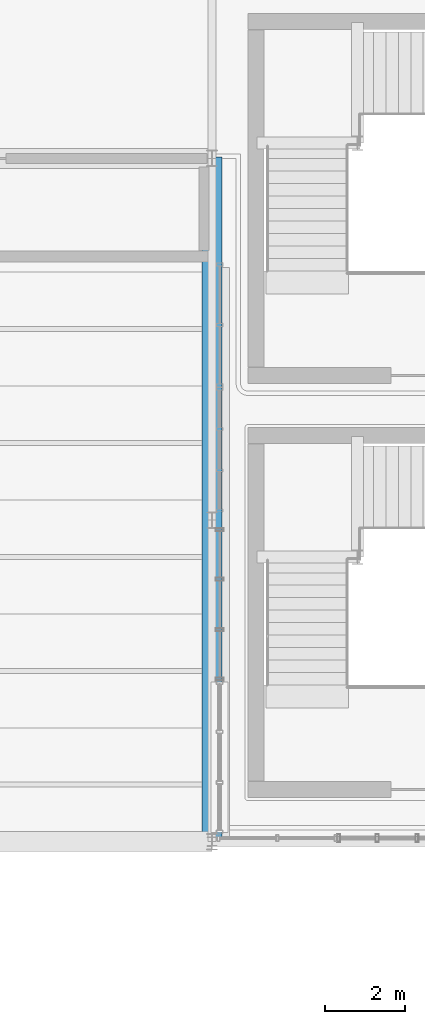
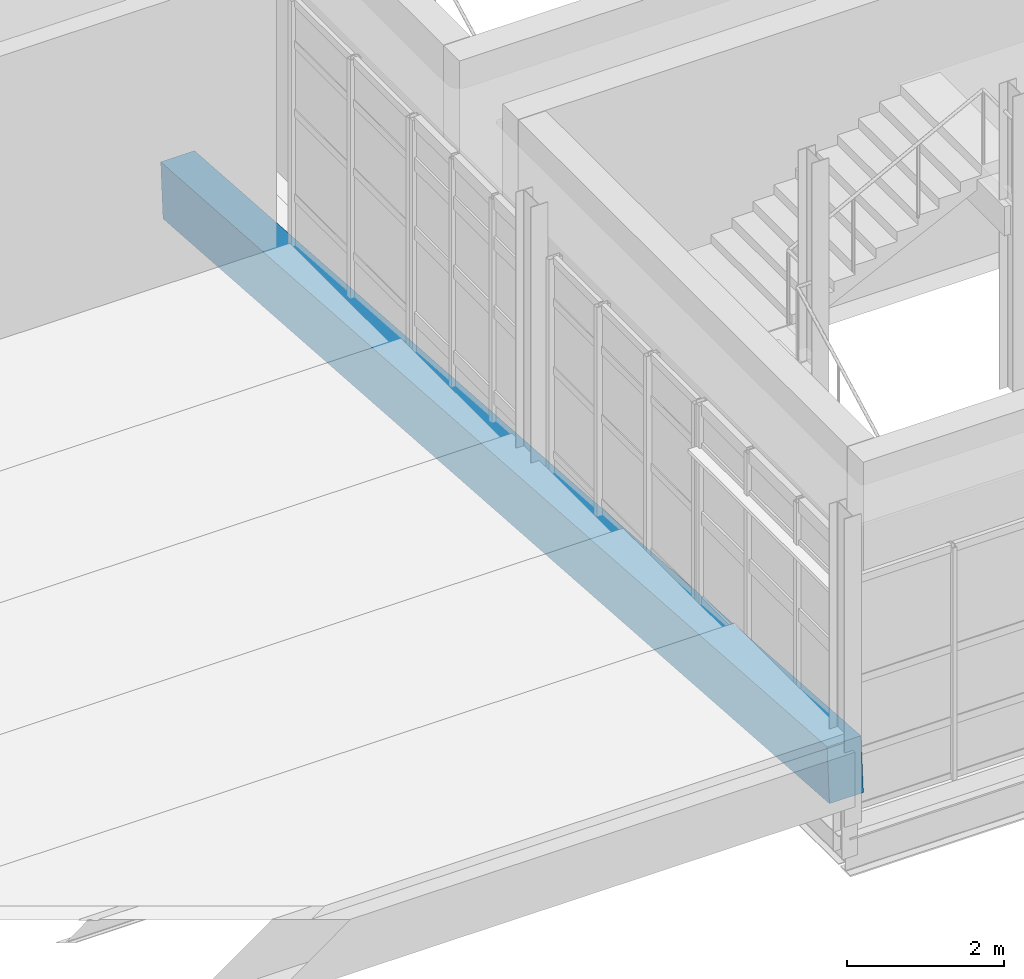
# One storey, part 52 of 100: 1 member.
"""IFC4 building model written with IfcOpenShell, lengths in metres."""

from ifc_helpers import new_model, si_unit, derived_unit, direction, frame, origin, origin_2d, place, context, subcontext, project, spatial, rectangle, extrude, material, material_profile, profile_set, type_object, element, save


model = new_model("IFC4")

# Units and contexts
model_context = context("Model", 3, precision=1e-05, world=origin(), true_north=direction((0.0, 1.0)))
body_context = subcontext(model_context, "Body", "Model", "MODEL_VIEW")
ifc_project = project(units=[si_unit("LENGTHUNIT", "METRE"), si_unit("AREAUNIT", "SQUARE_METRE"), si_unit("VOLUMEUNIT", "CUBIC_METRE"), si_unit("PLANEANGLEUNIT", "RADIAN"), si_unit("MASSUNIT", "GRAM", prefix="KILO"), derived_unit("THERMALTRANSMITTANCEUNIT", [(si_unit("POWERUNIT", "WATT"), 1), (si_unit("LENGTHUNIT", "METRE"), -2), (si_unit("THERMODYNAMICTEMPERATUREUNIT", "KELVIN"), -1)])], contexts=[model_context])

# Site, building, storey
site_placement = place(None, origin())
site = spatial("IfcSite", under=ifc_project, at=site_placement, CompositionType="ELEMENT")
building_placement = place(site_placement, origin())
building = spatial("IfcBuilding", under=site, at=building_placement, Name="Nallur Shell Playhouse", CompositionType="ELEMENT")
storey_placement = place(building_placement, frame((0.0, 0.0, 10.199951171875)))
storey = spatial("IfcBuildingStorey", under=building, at=storey_placement, Name="L03", CompositionType="ELEMENT", Elevation=10.199951171875)

# Member
ifc_material = material(Name="Concrete M40", Category="concrete")
ifc_material_profile = material_profile(ifc_material, rectangle(XDim=0.5, YDim=0.85009765625, at=origin_2d()), Name="RC 500x850")
ifc_profile_set = profile_set([ifc_material_profile], Name="Concrete M40")
member_type = type_object("IfcMemberType", Name="MB-RAKER-RC", PredefinedType="STRINGER", material=ifc_profile_set)
member_placement = place(storey_placement, frame((147.60009765625, 41.0, -0.46484375), z_axis=(0.0, -0.997518123498, 0.070410178898), x_axis=(1.0, 0.0, 0.0)))
element("IfcMember", 1, at=member_placement, inside=storey, type_object=member_type, Name="Auditorium raker beam STUDIO RAKER 3", PredefinedType="STRINGER", context=body_context, shape_type="SweptSolid", body=[
    extrude(rectangle(XDim=0.5, YDim=0.85009765625, at=origin_2d()), origin(), (0.0, 0.0, 1.0), 17.042236328125),
])

save(model, "model.ifc")
